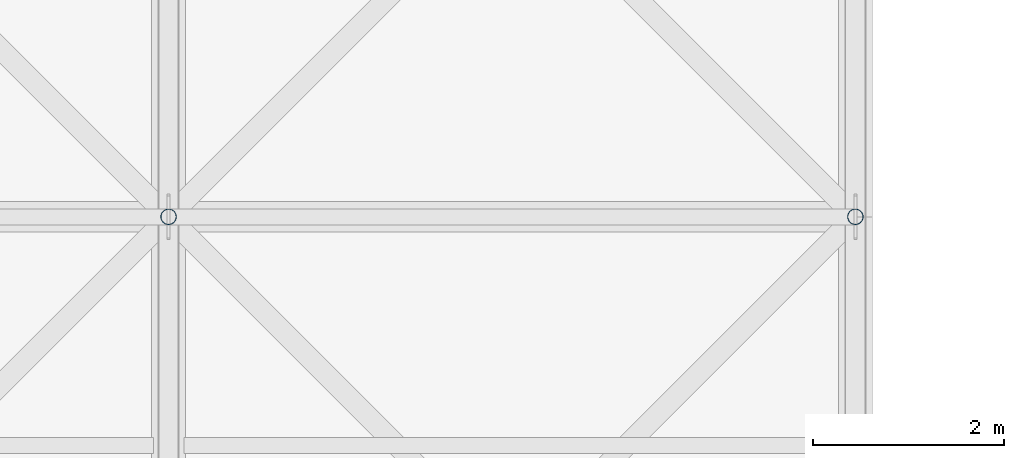
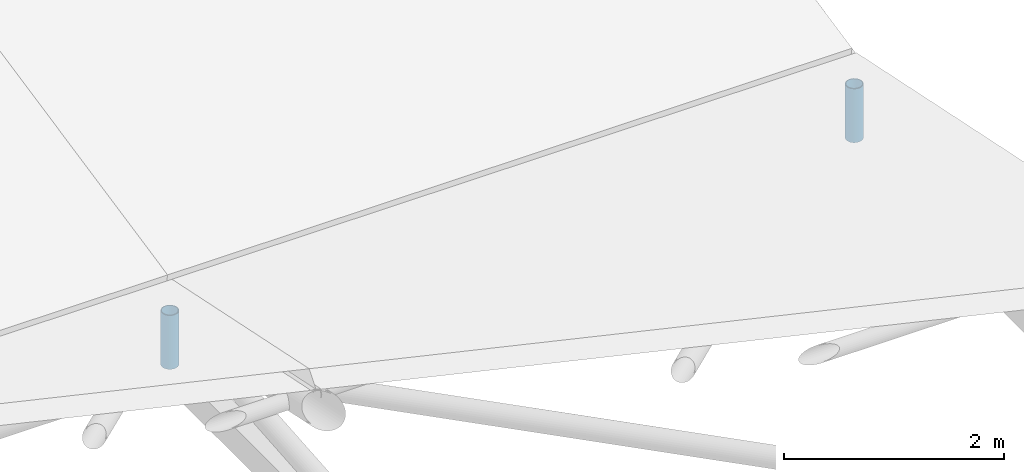
# One storey, part 52 of 72: 2 members.
"""IFC4 building model written with IfcOpenShell, lengths in metres."""

from ifc_helpers import new_model, si_unit, direction, frame, origin, origin_2d, place, context, subcontext, project, spatial, hollow_circle, extrude, material, material_profile, profile_set, type_object, element, save


model = new_model("IFC4")

# Units and contexts
model_context = context("Model", 3, precision=1e-05, world=origin(), true_north=direction((0.0, 1.0)))
body_context = subcontext(model_context, "Body", "Model", "MODEL_VIEW")
ifc_project = project(units=[si_unit("LENGTHUNIT", "METRE"), si_unit("AREAUNIT", "SQUARE_METRE"), si_unit("VOLUMEUNIT", "CUBIC_METRE"), si_unit("PLANEANGLEUNIT", "RADIAN"), si_unit("MASSUNIT", "GRAM", prefix="KILO")], contexts=[model_context])

# Site, building, storey
site_placement = place(None, origin())
site = spatial("IfcSite", under=ifc_project, at=site_placement, CompositionType="ELEMENT")
building_placement = place(site_placement, origin())
building = spatial("IfcBuilding", under=site, at=building_placement, Name="Vaelcorin Mobility Hub", CompositionType="ELEMENT")
storey_placement = place(building_placement, frame((0.0, 0.0, 25.800048828125)))
storey = spatial("IfcBuildingStorey", under=building, at=storey_placement, Name="RF", CompositionType="ELEMENT", Elevation=25.800048828125)

# Members
ifc_material = material(Name="Steel ASTM A500 Grade C", Category="steel")
ifc_material_profile = material_profile(ifc_material, hollow_circle(Radius=0.084228515625, WallThickness=0.0078125, at=origin_2d()), Name="HSS6.625X0.312")
ifc_profile_set = profile_set([ifc_material_profile], Name="Steel ASTM A500 Grade C")
member_type = type_object("IfcMemberType", Name="TR-POST-6", PredefinedType="POST", material=ifc_profile_set)
for number, where, z_axis, x_axis, name in (
    (1, (108.0, 98.39990234375, -2.10009765625), (0.0, 0.0, 1.0), (1.0, 0.0, 0.0), "Sports Pavilion Roof Truss Post 10-2"),
    (2, (115.199951171875, 98.39990234375, -2.10009765625), (0.0, 0.0, 1.0), (1.0, 0.0, 0.0), "Sports Pavilion Roof Truss Post 11-2"),
):
    element("IfcMember", number, at=place(storey_placement, frame(where, z_axis=z_axis, x_axis=x_axis)), inside=storey, type_object=member_type, Name=name, PredefinedType="POST", context=body_context, shape_type="SweptSolid", body=[
        extrude(hollow_circle(Radius=0.084228515625, WallThickness=0.0078125, at=origin_2d()), origin(), (0.0, 0.0, 1.0), 0.60009765625),
    ])

save(model, "model.ifc")
